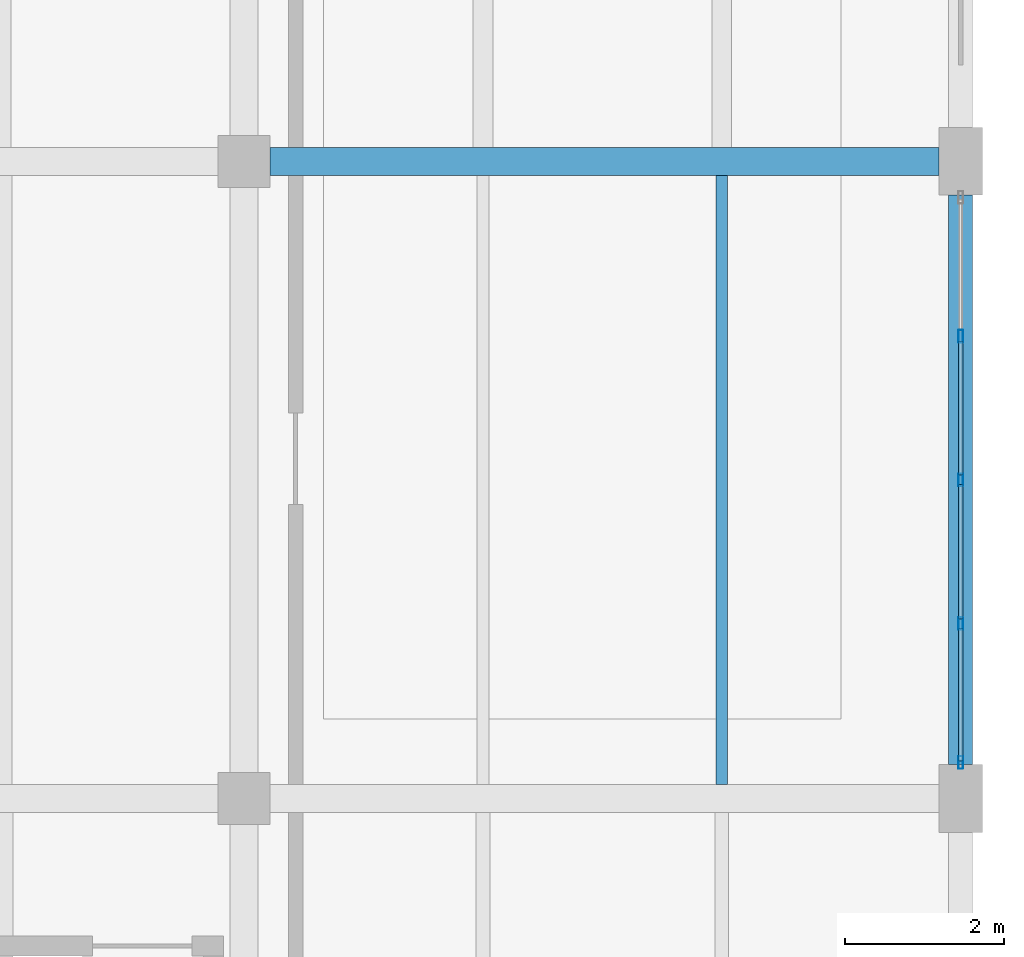
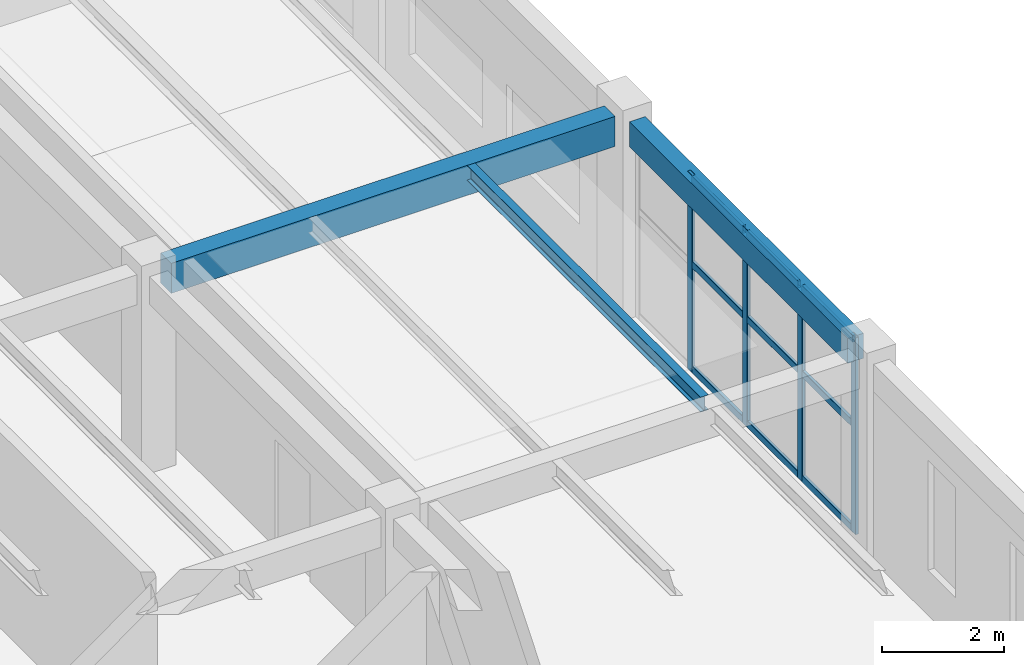
# One storey, part 26 of 71: 13 members, 3 beams, 1 element without a shape of its own.
"""IFC4 building model written with IfcOpenShell, lengths in metres."""

from ifc_helpers import new_model, si_unit, derived_unit, direction, frame, origin, origin_2d, place, context, subcontext, project, spatial, rectangle, hollow_rectangle, i_section, extrude, material, material_profile, profile_set, type_object, element, aggregate, save


model = new_model("IFC4")

# Units and contexts
model_context = context("Model", 3, precision=1e-05, world=origin(), true_north=direction((0.0, 1.0)))
body_context = subcontext(model_context, "Body", "Model", "MODEL_VIEW")
ifc_project = project(units=[si_unit("LENGTHUNIT", "METRE"), si_unit("AREAUNIT", "SQUARE_METRE"), si_unit("VOLUMEUNIT", "CUBIC_METRE"), si_unit("PLANEANGLEUNIT", "RADIAN"), si_unit("MASSUNIT", "GRAM", prefix="KILO"), derived_unit("THERMALTRANSMITTANCEUNIT", [(si_unit("MASSUNIT", "GRAM", prefix="KILO"), 1), (si_unit("TIMEUNIT", "SECOND"), -3), (si_unit("THERMODYNAMICTEMPERATUREUNIT", "KELVIN"), -1)])], contexts=[model_context])

# Site, building, storey
site_placement = place(None, origin())
site = spatial("IfcSite", under=ifc_project, at=site_placement, CompositionType="ELEMENT")
building_placement = place(site_placement, origin())
building = spatial("IfcBuilding", under=site, at=building_placement, Name="Zhenchuan Archway Interchange", CompositionType="ELEMENT")
storey_placement = place(building_placement, frame((0.0, 0.0, 18.60009765625)))
storey = spatial("IfcBuildingStorey", under=building, at=storey_placement, Name="L04", CompositionType="ELEMENT", Elevation=18.60009765625)

# Beam
ifc_material_1 = material(Name="Concrete C40", Category="concrete")
ifc_material_profile_1 = material_profile(ifc_material_1, rectangle(XDim=0.35009765625, YDim=0.60009765625, at=origin_2d()), Name="RC 350x600")
ifc_profile_set_1 = profile_set([ifc_material_profile_1], Name="Concrete C40")
beam_type_1 = type_object("IfcBeamType", Name="BM_RC_350x600", PredefinedType="BEAM", material=ifc_profile_set_1)
beam_1_placement = place(storey_placement, frame((162.324951171875, 32.0, 3.639892578125), z_axis=(1.0, 0.0, 0.0), x_axis=(0.0, 1.0, 0.0)))
element("IfcBeam", 1, at=beam_1_placement, inside=storey, type_object=beam_type_1, Name="Beam E:19-20 (L04)", PredefinedType="BEAM", context=body_context, shape_type="SweptSolid", body=[
    extrude(rectangle(XDim=0.35009765625, YDim=0.60009765625, at=origin_2d()), origin(), (0.0, 0.0, 1.0), 8.400146484375),
])

# Curtain wall, members
ifc_material_2 = material(Name="Anodised Aluminium", Category="aluminium")
curtain_wall_type = type_object("IfcCurtainWallType", Name="CW_UNIT_3", PredefinedType="NOTDEFINED", material=ifc_material_2)
curtain_wall_placement = place(storey_placement, origin())
curtain_wall = element("IfcCurtainWall", 2, at=curtain_wall_placement, inside=storey, type_object=curtain_wall_type, Name="Unitised curtain wall CW:L04:198", PredefinedType="NOTDEFINED")
ifc_material_profile_2 = material_profile(ifc_material_2, hollow_rectangle(XDim=0.06005859375, YDim=0.159912109375, WallThickness=0.00390625, InnerFilletRadius=0.00390625, OuterFilletRadius=0.008056640625, at=origin_2d()), Name="ALU 160x60x4")
ifc_profile_set_2 = profile_set([ifc_material_profile_2], Name="Anodised Aluminium")
member_type_1 = type_object("IfcMemberType", Name="CW_MUL_150", PredefinedType="MULLION", material=ifc_profile_set_2)
member_1_placement = place(storey_placement, frame((171.0, 29.803466796875, 0.0), z_axis=(0.0, 0.0, 1.0), x_axis=(1.0, 0.0, 0.0)))
member_1 = element("IfcMember", 3, at=member_1_placement, type_object=member_type_1, Name="CW:L04:198 mullion 1", PredefinedType="MULLION", context=body_context, shape_type="SweptSolid", body=[
    extrude(hollow_rectangle(XDim=0.06005859375, YDim=0.159912109375, WallThickness=0.00390625, InnerFilletRadius=0.00390625, OuterFilletRadius=0.008056640625, at=origin_2d()), origin(), (0.0, 0.0, 1.0), 3.93994140625),
])
member_2_placement = place(storey_placement, frame((171.0, 28.0, 0.0), z_axis=(0.0, 0.0, 1.0), x_axis=(1.0, 0.0, 0.0)))
member_2 = element("IfcMember", 4, at=member_2_placement, type_object=member_type_1, Name="CW:L04:198 mullion 2", PredefinedType="MULLION", context=body_context, shape_type="SweptSolid", body=[
    extrude(hollow_rectangle(XDim=0.06005859375, YDim=0.159912109375, WallThickness=0.00390625, InnerFilletRadius=0.00390625, OuterFilletRadius=0.008056640625, at=origin_2d()), origin(), (0.0, 0.0, 1.0), 3.93994140625),
])
member_3_placement = place(storey_placement, frame((171.0, 26.196533203125, 0.0), z_axis=(0.0, 0.0, 1.0), x_axis=(1.0, 0.0, 0.0)))
member_3 = element("IfcMember", 5, at=member_3_placement, type_object=member_type_1, Name="CW:L04:198 mullion 3", PredefinedType="MULLION", context=body_context, shape_type="SweptSolid", body=[
    extrude(hollow_rectangle(XDim=0.06005859375, YDim=0.159912109375, WallThickness=0.00390625, InnerFilletRadius=0.00390625, OuterFilletRadius=0.008056640625, at=origin_2d()), origin(), (0.0, 0.0, 1.0), 3.93994140625),
])
member_4_placement = place(storey_placement, frame((171.0, 24.452880859375, 0.0), z_axis=(0.0, 0.0, 1.0), x_axis=(1.0, 0.0, 0.0)))
member_4 = element("IfcMember", 6, at=member_4_placement, type_object=member_type_1, Name="CW:L04:198 mullion 4", PredefinedType="MULLION", context=body_context, shape_type="SweptSolid", body=[
    extrude(hollow_rectangle(XDim=0.06005859375, YDim=0.159912109375, WallThickness=0.00390625, InnerFilletRadius=0.00390625, OuterFilletRadius=0.008056640625, at=origin_2d()), origin(), (0.0, 0.0, 1.0), 3.93994140625),
])
ifc_material_profile_3 = material_profile(ifc_material_2, hollow_rectangle(XDim=0.06005859375, YDim=0.139892578125, WallThickness=0.00341796875, InnerFilletRadius=0.00341796875, OuterFilletRadius=0.007080078125, at=origin_2d()), Name="ALU 140x60x3.5")
ifc_profile_set_3 = profile_set([ifc_material_profile_3], Name="Anodised Aluminium")
member_type_2 = type_object("IfcMemberType", Name="CW_TRN_140", PredefinedType="USERDEFINED", material=ifc_profile_set_3)
member_5_placement = place(storey_placement, frame((171.0, 29.743408203125, 0.059814453125), z_axis=(0.0, -1.0, 0.0), x_axis=(1.0, 0.0, 0.0)))
member_5 = element("IfcMember", 7, at=member_5_placement, type_object=member_type_2, Name="CW:L04:198 transom 1-1", ObjectType="TRANSOM", PredefinedType="USERDEFINED", context=body_context, shape_type="SweptSolid", body=[
    extrude(hollow_rectangle(XDim=0.06005859375, YDim=0.139892578125, WallThickness=0.00341796875, InnerFilletRadius=0.00341796875, OuterFilletRadius=0.007080078125, at=origin_2d()), origin(), (0.0, 0.0, 1.0), 1.683349609375),
])
member_6_placement = place(storey_placement, frame((171.0, 29.743408203125, 2.156005859375), z_axis=(0.0, -1.0, 0.0), x_axis=(1.0, 0.0, 0.0)))
member_6 = element("IfcMember", 8, at=member_6_placement, type_object=member_type_2, Name="CW:L04:198 transom 1-2", ObjectType="TRANSOM", PredefinedType="USERDEFINED", context=body_context, shape_type="SweptSolid", body=[
    extrude(hollow_rectangle(XDim=0.06005859375, YDim=0.139892578125, WallThickness=0.00341796875, InnerFilletRadius=0.00341796875, OuterFilletRadius=0.007080078125, at=origin_2d()), origin(), (0.0, 0.0, 1.0), 1.683349609375),
])
member_7_placement = place(storey_placement, frame((171.0, 29.743408203125, 3.85986328125), z_axis=(0.0, -1.0, 0.0), x_axis=(1.0, 0.0, 0.0)))
member_7 = element("IfcMember", 9, at=member_7_placement, type_object=member_type_2, Name="CW:L04:198 transom 1-3", ObjectType="TRANSOM", PredefinedType="USERDEFINED", context=body_context, shape_type="SweptSolid", body=[
    extrude(hollow_rectangle(XDim=0.06005859375, YDim=0.139892578125, WallThickness=0.00341796875, InnerFilletRadius=0.00341796875, OuterFilletRadius=0.007080078125, at=origin_2d()), origin(), (0.0, 0.0, 1.0), 1.683349609375),
])
member_8_placement = place(storey_placement, frame((171.0, 27.93994140625, 0.059814453125), z_axis=(0.0, -1.0, 0.0), x_axis=(1.0, 0.0, 0.0)))
member_8 = element("IfcMember", 10, at=member_8_placement, type_object=member_type_2, Name="CW:L04:198 transom 2-1", ObjectType="TRANSOM", PredefinedType="USERDEFINED", context=body_context, shape_type="SweptSolid", body=[
    extrude(hollow_rectangle(XDim=0.06005859375, YDim=0.139892578125, WallThickness=0.00341796875, InnerFilletRadius=0.00341796875, OuterFilletRadius=0.007080078125, at=origin_2d()), origin(), (0.0, 0.0, 1.0), 1.683349609375),
])
member_9_placement = place(storey_placement, frame((171.0, 27.93994140625, 2.156005859375), z_axis=(0.0, -1.0, 0.0), x_axis=(1.0, 0.0, 0.0)))
member_9 = element("IfcMember", 11, at=member_9_placement, type_object=member_type_2, Name="CW:L04:198 transom 2-2", ObjectType="TRANSOM", PredefinedType="USERDEFINED", context=body_context, shape_type="SweptSolid", body=[
    extrude(hollow_rectangle(XDim=0.06005859375, YDim=0.139892578125, WallThickness=0.00341796875, InnerFilletRadius=0.00341796875, OuterFilletRadius=0.007080078125, at=origin_2d()), origin(), (0.0, 0.0, 1.0), 1.683349609375),
])
member_10_placement = place(storey_placement, frame((171.0, 27.93994140625, 3.85986328125), z_axis=(0.0, -1.0, 0.0), x_axis=(1.0, 0.0, 0.0)))
member_10 = element("IfcMember", 12, at=member_10_placement, type_object=member_type_2, Name="CW:L04:198 transom 2-3", ObjectType="TRANSOM", PredefinedType="USERDEFINED", context=body_context, shape_type="SweptSolid", body=[
    extrude(hollow_rectangle(XDim=0.06005859375, YDim=0.139892578125, WallThickness=0.00341796875, InnerFilletRadius=0.00341796875, OuterFilletRadius=0.007080078125, at=origin_2d()), origin(), (0.0, 0.0, 1.0), 1.683349609375),
])
member_11_placement = place(storey_placement, frame((171.0, 26.136474609375, 0.059814453125), z_axis=(0.0, -1.0, 0.0), x_axis=(1.0, 0.0, 0.0)))
member_11 = element("IfcMember", 13, at=member_11_placement, type_object=member_type_2, Name="CW:L04:198 transom 3-1", ObjectType="TRANSOM", PredefinedType="USERDEFINED", context=body_context, shape_type="SweptSolid", body=[
    extrude(hollow_rectangle(XDim=0.06005859375, YDim=0.139892578125, WallThickness=0.00341796875, InnerFilletRadius=0.00341796875, OuterFilletRadius=0.007080078125, at=origin_2d()), origin(), (0.0, 0.0, 1.0), 1.66357421875),
])
member_12_placement = place(storey_placement, frame((171.0, 26.136474609375, 2.156005859375), z_axis=(0.0, -1.0, 0.0), x_axis=(1.0, 0.0, 0.0)))
member_12 = element("IfcMember", 14, at=member_12_placement, type_object=member_type_2, Name="CW:L04:198 transom 3-2", ObjectType="TRANSOM", PredefinedType="USERDEFINED", context=body_context, shape_type="SweptSolid", body=[
    extrude(hollow_rectangle(XDim=0.06005859375, YDim=0.139892578125, WallThickness=0.00341796875, InnerFilletRadius=0.00341796875, OuterFilletRadius=0.007080078125, at=origin_2d()), origin(), (0.0, 0.0, 1.0), 1.66357421875),
])
member_13_placement = place(storey_placement, frame((171.0, 26.136474609375, 3.85986328125), z_axis=(0.0, -1.0, 0.0), x_axis=(1.0, 0.0, 0.0)))
member_13 = element("IfcMember", 15, at=member_13_placement, type_object=member_type_2, Name="CW:L04:198 transom 3-3", ObjectType="TRANSOM", PredefinedType="USERDEFINED", context=body_context, shape_type="SweptSolid", body=[
    extrude(hollow_rectangle(XDim=0.06005859375, YDim=0.139892578125, WallThickness=0.00341796875, InnerFilletRadius=0.00341796875, OuterFilletRadius=0.007080078125, at=origin_2d()), origin(), (0.0, 0.0, 1.0), 1.66357421875),
])
aggregate(curtain_wall, [member_1, member_2, member_3, member_4, member_5, member_6, member_7, member_8, member_9, member_10, member_11, member_12, member_13])

# Beams
ifc_material_3 = material(Name="Steel Q355", Category="steel")
ifc_material_profile_4 = material_profile(ifc_material_3, i_section(OverallWidth=0.14990234375, OverallDepth=0.300048828125, WebThickness=0.006591796875, FlangeThickness=0.009033203125, FilletRadius=0.012939453125, at=origin_2d()), Name="HN 300x150")
ifc_profile_set_4 = profile_set([ifc_material_profile_4], Name="Steel Q355")
beam_type_2 = type_object("IfcBeamType", Name="JST_STL_HN300", PredefinedType="JOIST", material=ifc_profile_set_4)
beam_2_placement = place(storey_placement, frame((168.0, 24.175048828125, 3.789794921875), z_axis=(0.0, 1.0, 0.0), x_axis=(-1.0, 0.0, 0.0)))
element("IfcBeam", 16, at=beam_2_placement, inside=storey, type_object=beam_type_2, Name="Secondary joist 19-20/D-E #2 (L04)", PredefinedType="JOIST", context=body_context, shape_type="SweptSolid", body=[
    extrude(i_section(OverallWidth=0.14990234375, OverallDepth=0.300048828125, WebThickness=0.006591796875, FlangeThickness=0.009033203125, FilletRadius=0.012939453125, at=origin_2d()), origin(), (0.0, 0.0, 1.0), 7.64990234375),
])
ifc_material_profile_5 = material_profile(ifc_material_1, rectangle(XDim=0.300048828125, YDim=0.5, at=origin_2d()), Name="RC 300x500")
ifc_profile_set_5 = profile_set([ifc_material_profile_5], Name="Concrete C40")
beam_type_3 = type_object("IfcBeamType", Name="SP_RC_300x500", PredefinedType="SPANDREL", material=ifc_profile_set_5)
beam_3_placement = place(storey_placement, frame((171.0, 24.425048828125, 3.68994140625), z_axis=(0.0, 1.0, 0.0), x_axis=(-1.0, 0.0, 0.0)))
element("IfcBeam", 17, at=beam_3_placement, inside=storey, type_object=beam_type_3, Name="Beam 20:D-E (L04)", PredefinedType="SPANDREL", context=body_context, shape_type="SweptSolid", body=[
    extrude(rectangle(XDim=0.300048828125, YDim=0.5, at=origin_2d()), origin(), (0.0, 0.0, 1.0), 7.14990234375),
])

save(model, "model.ifc")
